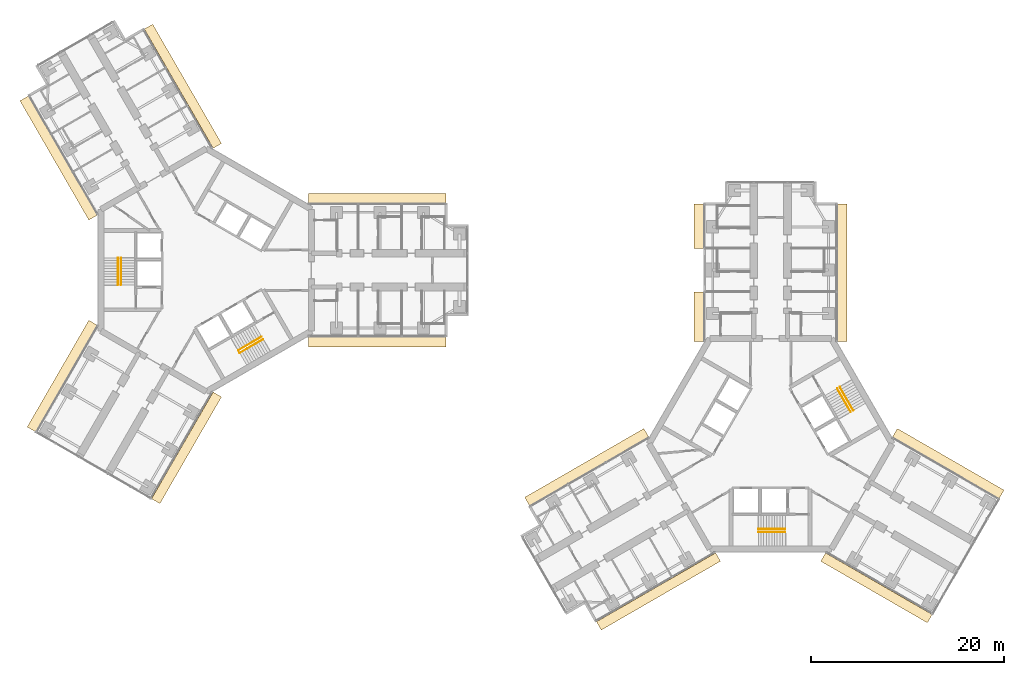
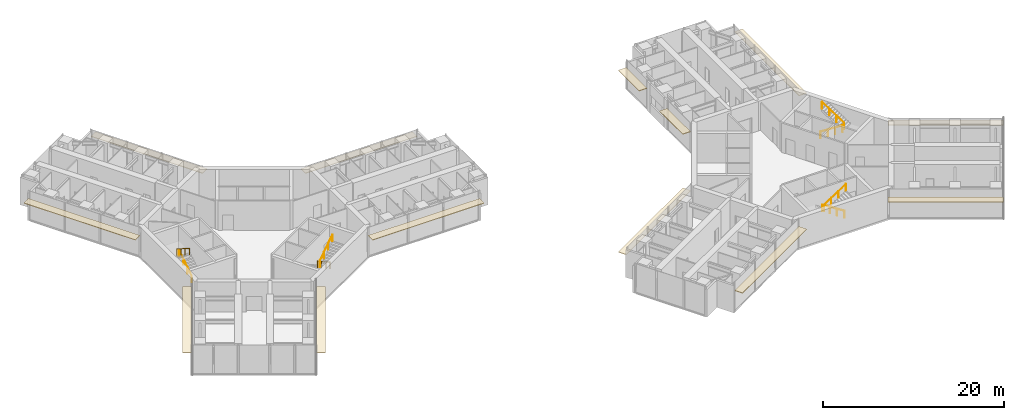
# One storey, part 23 of 23: 13 coverings, 8 railings.
"""IFC4 building model written with IfcOpenShell, lengths in metres."""

from ifc_helpers import new_model, si_unit, direction, frame, origin, origin_2d, place, context, subcontext, project, spatial, rectangle, circle, extrude, material, layer, layer_set, type_object, element, save


model = new_model("IFC4")

# Units and contexts
model_context = context("Model", 3, precision=1e-05, world=origin(), true_north=direction((0.0, 1.0)))
body_context = subcontext(model_context, "Body", "Model", "MODEL_VIEW")
ifc_project = project(units=[si_unit("LENGTHUNIT", "METRE"), si_unit("AREAUNIT", "SQUARE_METRE"), si_unit("VOLUMEUNIT", "CUBIC_METRE"), si_unit("PLANEANGLEUNIT", "RADIAN"), si_unit("MASSUNIT", "GRAM", prefix="KILO")], contexts=[model_context])

# Site, building, storey
site_placement = place(None, origin())
site = spatial("IfcSite", under=ifc_project, at=site_placement, CompositionType="ELEMENT")
building_placement = place(site_placement, origin())
building = spatial("IfcBuilding", under=site, at=building_placement, Name="Upepo Twin Towers", CompositionType="ELEMENT")
storey_placement = place(building_placement, frame((0.0, 0.0, 161.5)))
storey = spatial("IfcBuildingStorey", under=building, at=storey_placement, Name="L39", CompositionType="ELEMENT", Elevation=161.5)

# Coverings
ifc_material_1 = material(Name="Anodised aluminium, pale silver", Category="aluminium")
ifc_layer = layer(ifc_material_1, 0.080078125)
ifc_layer_set = layer_set([ifc_layer], Name="Brise-soleil blade 1000 pale aluminium")
covering_type = type_object("IfcCoveringType", Name="Brise-soleil blade 1000 pale aluminium", PredefinedType="USERDEFINED", material=ifc_layer_set)
for number, where, z_axis, x_axis, name in (
    (1, (17.718505859375, 7.43994140625, 2.909912109375), (0.0, 0.0, 1.0), (1.0, 0.0, 0.0), "T1 L39 wing A brise-soleil L"),
    (2, (17.718505859375, -7.43994140625, 2.909912109375), (0.0, 0.0, 1.0), (1.0, 0.0, 0.0), "T1 L39 wing A brise-soleil R"),
    (3, (-15.302490234375, 11.624755859375, 2.909912109375), (0.0, 0.0, 1.0), (-0.500000015115, 0.866025395058, 0.0), "T1 L39 wing B brise-soleil L"),
    (4, (-2.416015625, 19.064697265625, 2.909912109375), (0.0, 0.0, 1.0), (-0.500000015115, 0.866025395058, 0.0), "T1 L39 wing B brise-soleil R"),
):
    element("IfcCovering", number, at=place(storey_placement, frame(where, z_axis=z_axis, x_axis=x_axis)), inside=storey, type_object=covering_type, Name=name, ObjectType="SUNSHADE", PredefinedType="USERDEFINED", context=body_context, shape_type="SweptSolid", body=[
        extrude(rectangle(XDim=14.262939453125, YDim=1.0, at=origin_2d()), origin(), (0.0, 0.0, 1.0), 0.080078125),
    ])
for number, where, z_axis, x_axis, name in (
    (5, (-2.041015625, -18.415283203125, 2.909912109375), (0.0, 0.0, 1.0), (-0.500000015115, -0.866025395058, 0.0), "T1 L39 wing C brise-soleil L"),
    (6, (-14.927490234375, -10.97509765625, 2.909912109375), (0.0, 0.0, 1.0), (-0.500000015115, -0.866025395058, 0.0), "T1 L39 wing C brise-soleil R"),
):
    element("IfcCovering", number, at=place(storey_placement, frame(where, z_axis=z_axis, x_axis=x_axis)), inside=storey, type_object=covering_type, Name=name, ObjectType="SUNSHADE", PredefinedType="USERDEFINED", context=body_context, shape_type="SweptSolid", body=[
        extrude(rectangle(XDim=12.762939453125, YDim=1.0, at=origin_2d()), origin(), (0.0, 0.0, 1.0), 0.080078125),
    ])
covering_1_placement = place(storey_placement, frame((51.050048828125, -4.83154296875, 2.909912109375), z_axis=(0.0, 0.0, 1.0), x_axis=(0.0, 1.0, 0.0)))
element("IfcCovering", 7, at=covering_1_placement, inside=storey, type_object=covering_type, Name="T2 L39 wing A brise-soleil L", ObjectType="SUNSHADE", PredefinedType="USERDEFINED", context=body_context, shape_type="SweptSolid", body=[
    extrude(rectangle(XDim=5.162841796875, YDim=1.0, at=origin_2d()), origin(), (0.0, 0.0, 1.0), 0.080078125),
])
covering_2_placement = place(storey_placement, frame((51.050048828125, 4.550048828125, 2.909912109375), z_axis=(0.0, 0.0, 1.0), x_axis=(0.0, 1.0, 0.0)))
element("IfcCovering", 8, at=covering_2_placement, inside=storey, type_object=covering_type, Name="T2 L39 wing A brise-soleil L 2", ObjectType="SUNSHADE", PredefinedType="USERDEFINED", context=body_context, shape_type="SweptSolid", body=[
    extrude(rectangle(XDim=4.60009765625, YDim=1.0, at=origin_2d()), origin(), (0.0, 0.0, 1.0), 0.080078125),
])
for number, where, z_axis, x_axis, name in (
    (9, (65.93994140625, -0.281494140625, 2.909912109375), (0.0, 0.0, 1.0), (0.0, 1.0, 0.0), "T2 L39 wing A brise-soleil R"),
    (10, (46.875244140625, -33.302490234375, 2.909912109375), (0.0, 0.0, 1.0), (-0.866025395058, -0.500000015115, 0.0), "T2 L39 wing B brise-soleil L"),
    (11, (39.435302734375, -20.416015625, 2.909912109375), (0.0, 0.0, 1.0), (-0.866025395058, -0.500000015115, 0.0), "T2 L39 wing B brise-soleil R"),
):
    element("IfcCovering", number, at=place(storey_placement, frame(where, z_axis=z_axis, x_axis=x_axis)), inside=storey, type_object=covering_type, Name=name, ObjectType="SUNSHADE", PredefinedType="USERDEFINED", context=body_context, shape_type="SweptSolid", body=[
        extrude(rectangle(XDim=14.262939453125, YDim=1.0, at=origin_2d()), origin(), (0.0, 0.0, 1.0), 0.080078125),
    ])
for number, where, z_axis, x_axis, name in (
    (12, (76.915283203125, -20.041015625, 2.909912109375), (0.0, 0.0, 1.0), (0.866025395058, -0.500000015115, 0.0), "T2 L39 wing C brise-soleil L"),
    (13, (69.47509765625, -32.927490234375, 2.909912109375), (0.0, 0.0, 1.0), (0.866025395058, -0.500000015115, 0.0), "T2 L39 wing C brise-soleil R"),
):
    element("IfcCovering", number, at=place(storey_placement, frame(where, z_axis=z_axis, x_axis=x_axis)), inside=storey, type_object=covering_type, Name=name, ObjectType="SUNSHADE", PredefinedType="USERDEFINED", context=body_context, shape_type="SweptSolid", body=[
        extrude(rectangle(XDim=12.762939453125, YDim=1.0, at=origin_2d()), origin(), (0.0, 0.0, 1.0), 0.080078125),
    ])

# Railings
ifc_material_2 = material(Name="Stainless steel", Category="steel")
railing_type = type_object("IfcRailingType", Name="Stair handrail 900", PredefinedType="HANDRAIL", material=ifc_material_2)
railing_1_placement = place(storey_placement, frame((-8.85009765625, -1.52001953125, 0.181884765625)))
element("IfcRailing", 14, at=railing_1_placement, inside=storey, type_object=railing_type, Name="T1 stair S1 L39 handrail 1", PredefinedType="HANDRAIL", context=body_context, shape_type="SweptSolid", body=[
    extrude(circle(Radius=0.02392578125, at=origin_2d()), frame((0.0, 0.0, 0.8759765625), z_axis=(0.0, 0.838705829183, 0.544584733623), x_axis=(-1.0, 0.0, 0.0)), (0.0, 0.0, 1.0), 3.338623046875),
    extrude(circle(Radius=0.02099609375, at=origin_2d()), origin(), (0.0, 0.0, 1.0), 0.851806640625),
    extrude(circle(Radius=0.02099609375, at=origin_2d()), frame((0.0, 0.933349609375, 0.60595703125)), (0.0, 0.0, 1.0), 0.851806640625),
    extrude(circle(Radius=0.02099609375, at=origin_2d()), frame((0.0, 1.86669921875, 1.212158203125)), (0.0, 0.0, 1.0), 0.851806640625),
    extrude(circle(Radius=0.02099609375, at=origin_2d()), frame((0.0, 2.800048828125, 1.818115234375)), (0.0, 0.0, 1.0), 0.851806640625),
])
railing_2_placement = place(storey_placement, frame((-9.158447265625, 1.280029296875, 2.181884765625)))
element("IfcRailing", 15, at=railing_2_placement, inside=storey, type_object=railing_type, Name="T1 stair S1 L39 handrail 2", PredefinedType="HANDRAIL", context=body_context, shape_type="SweptSolid", body=[
    extrude(circle(Radius=0.02392578125, at=origin_2d()), frame((0.0, 0.0, 0.8759765625), z_axis=(0.0, -0.838705829183, 0.544584733623), x_axis=(1.0, 0.0, 0.0)), (0.0, 0.0, 1.0), 3.338623046875),
    extrude(circle(Radius=0.02099609375, at=origin_2d()), origin(), (0.0, 0.0, 1.0), 0.851806640625),
    extrude(circle(Radius=0.02099609375, at=origin_2d()), frame((0.0, -0.933349609375, 0.60595703125)), (0.0, 0.0, 1.0), 0.851806640625),
    extrude(circle(Radius=0.02099609375, at=origin_2d()), frame((0.0, -1.86669921875, 1.212158203125)), (0.0, 0.0, 1.0), 0.851806640625),
    extrude(circle(Radius=0.02099609375, at=origin_2d()), frame((0.0, -2.800048828125, 1.818115234375)), (0.0, 0.0, 1.0), 0.851806640625),
])
railing_3_placement = place(storey_placement, frame((5.741455078125, -6.904296875, 0.181884765625)))
element("IfcRailing", 16, at=railing_3_placement, inside=storey, type_object=railing_type, Name="T1 stair S2 L39 handrail 1", PredefinedType="HANDRAIL", context=body_context, shape_type="SweptSolid", body=[
    extrude(circle(Radius=0.02392578125, at=origin_2d()), frame((0.0, 0.0, 0.8759765625), z_axis=(-0.726348578268, -0.419370693282, 0.544560340518), x_axis=(0.500011755427, -0.866018616679, 0.0)), (0.0, 0.0, 1.0), 3.338623046875),
    extrude(circle(Radius=0.02099609375, at=origin_2d()), origin(), (0.0, 0.0, 1.0), 0.851806640625),
    extrude(circle(Radius=0.02099609375, at=origin_2d()), frame((-0.808349609375, -0.466796875, 0.60595703125)), (0.0, 0.0, 1.0), 0.851806640625),
    extrude(circle(Radius=0.02099609375, at=origin_2d()), frame((-1.61669921875, -0.933349609375, 1.212158203125)), (0.0, 0.0, 1.0), 0.851806640625),
    extrude(circle(Radius=0.02099609375, at=origin_2d()), frame((-2.425048828125, -1.400146484375, 1.818115234375)), (0.0, 0.0, 1.0), 0.851806640625),
])
railing_4_placement = place(storey_placement, frame((3.470703125, -8.5712890625, 2.181884765625)))
element("IfcRailing", 17, at=railing_4_placement, inside=storey, type_object=railing_type, Name="T1 stair S2 L39 handrail 2", PredefinedType="HANDRAIL", context=body_context, shape_type="SweptSolid", body=[
    extrude(circle(Radius=0.02392578125, at=origin_2d()), frame((0.0, 0.0, 0.8759765625), z_axis=(0.726336304947, 0.419332699614, 0.544605966869), x_axis=(-0.49998411664, 0.866034573852, 0.0)), (0.0, 0.0, 1.0), 3.33837890625),
    extrude(circle(Radius=0.02099609375, at=origin_2d()), origin(), (0.0, 0.0, 1.0), 0.851806640625),
    extrude(circle(Radius=0.02099609375, at=origin_2d()), frame((0.808349609375, 0.466552734375, 0.60595703125)), (0.0, 0.0, 1.0), 0.851806640625),
    extrude(circle(Radius=0.02099609375, at=origin_2d()), frame((1.616455078125, 0.933349609375, 1.212158203125)), (0.0, 0.0, 1.0), 0.851806640625),
    extrude(circle(Radius=0.02099609375, at=origin_2d()), frame((2.4248046875, 1.39990234375, 1.818115234375)), (0.0, 0.0, 1.0), 0.851806640625),
])
railing_5_placement = place(storey_placement, frame((60.02001953125, -26.85009765625, 0.181884765625)))
element("IfcRailing", 18, at=railing_5_placement, inside=storey, type_object=railing_type, Name="T2 stair S1 L39 handrail 1", PredefinedType="HANDRAIL", context=body_context, shape_type="SweptSolid", body=[
    extrude(circle(Radius=0.02392578125, at=origin_2d()), frame((0.0, 0.0, 0.8759765625), z_axis=(-0.838705829183, 0.0, 0.544584733623), x_axis=(0.0, -1.0, 0.0)), (0.0, 0.0, 1.0), 3.338623046875),
    extrude(circle(Radius=0.02099609375, at=origin_2d()), origin(), (0.0, 0.0, 1.0), 0.851806640625),
    extrude(circle(Radius=0.02099609375, at=origin_2d()), frame((-0.933349609375, 0.0, 0.60595703125)), (0.0, 0.0, 1.0), 0.851806640625),
    extrude(circle(Radius=0.02099609375, at=origin_2d()), frame((-1.86669921875, 0.0, 1.212158203125)), (0.0, 0.0, 1.0), 0.851806640625),
    extrude(circle(Radius=0.02099609375, at=origin_2d()), frame((-2.800048828125, 0.0, 1.818115234375)), (0.0, 0.0, 1.0), 0.851806640625),
])
railing_6_placement = place(storey_placement, frame((57.219970703125, -27.158447265625, 2.181884765625)))
element("IfcRailing", 19, at=railing_6_placement, inside=storey, type_object=railing_type, Name="T2 stair S1 L39 handrail 2", PredefinedType="HANDRAIL", context=body_context, shape_type="SweptSolid", body=[
    extrude(circle(Radius=0.02392578125, at=origin_2d()), frame((0.0, 0.0, 0.8759765625), z_axis=(0.838705829183, 0.0, 0.544584733623), x_axis=(0.0, 1.0, 0.0)), (0.0, 0.0, 1.0), 3.338623046875),
    extrude(circle(Radius=0.02099609375, at=origin_2d()), origin(), (0.0, 0.0, 1.0), 0.851806640625),
    extrude(circle(Radius=0.02099609375, at=origin_2d()), frame((0.933349609375, 0.0, 0.60595703125)), (0.0, 0.0, 1.0), 0.851806640625),
    extrude(circle(Radius=0.02099609375, at=origin_2d()), frame((1.86669921875, 0.0, 1.212158203125)), (0.0, 0.0, 1.0), 0.851806640625),
    extrude(circle(Radius=0.02099609375, at=origin_2d()), frame((2.800048828125, 0.0, 1.818115234375)), (0.0, 0.0, 1.0), 0.851806640625),
])
railing_7_placement = place(storey_placement, frame((65.404296875, -12.258544921875, 0.181884765625)))
element("IfcRailing", 20, at=railing_7_placement, inside=storey, type_object=railing_type, Name="T2 stair S2 L39 handrail 1", PredefinedType="HANDRAIL", context=body_context, shape_type="SweptSolid", body=[
    extrude(circle(Radius=0.02392578125, at=origin_2d()), frame((0.0, 0.0, 0.8759765625), z_axis=(0.419370693282, -0.726348578268, 0.544560340518), x_axis=(0.866018616679, 0.500011755427, 0.0)), (0.0, 0.0, 1.0), 3.338623046875),
    extrude(circle(Radius=0.02099609375, at=origin_2d()), origin(), (0.0, 0.0, 1.0), 0.851806640625),
    extrude(circle(Radius=0.02099609375, at=origin_2d()), frame((0.466796875, -0.808349609375, 0.60595703125)), (0.0, 0.0, 1.0), 0.851806640625),
    extrude(circle(Radius=0.02099609375, at=origin_2d()), frame((0.933349609375, -1.61669921875, 1.212158203125)), (0.0, 0.0, 1.0), 0.851806640625),
    extrude(circle(Radius=0.02099609375, at=origin_2d()), frame((1.400146484375, -2.425048828125, 1.818115234375)), (0.0, 0.0, 1.0), 0.851806640625),
])
railing_8_placement = place(storey_placement, frame((67.0712890625, -14.529296875, 2.181884765625)))
element("IfcRailing", 21, at=railing_8_placement, inside=storey, type_object=railing_type, Name="T2 stair S2 L39 handrail 2", PredefinedType="HANDRAIL", context=body_context, shape_type="SweptSolid", body=[
    extrude(circle(Radius=0.02392578125, at=origin_2d()), frame((0.0, 0.0, 0.8759765625), z_axis=(-0.419332699614, 0.726336304947, 0.544605966869), x_axis=(-0.866034573852, -0.49998411664, 0.0)), (0.0, 0.0, 1.0), 3.33837890625),
    extrude(circle(Radius=0.02099609375, at=origin_2d()), origin(), (0.0, 0.0, 1.0), 0.851806640625),
    extrude(circle(Radius=0.02099609375, at=origin_2d()), frame((-0.466552734375, 0.808349609375, 0.60595703125)), (0.0, 0.0, 1.0), 0.851806640625),
    extrude(circle(Radius=0.02099609375, at=origin_2d()), frame((-0.933349609375, 1.616455078125, 1.212158203125)), (0.0, 0.0, 1.0), 0.851806640625),
    extrude(circle(Radius=0.02099609375, at=origin_2d()), frame((-1.39990234375, 2.4248046875, 1.818115234375)), (0.0, 0.0, 1.0), 0.851806640625),
])

save(model, "model.ifc")
